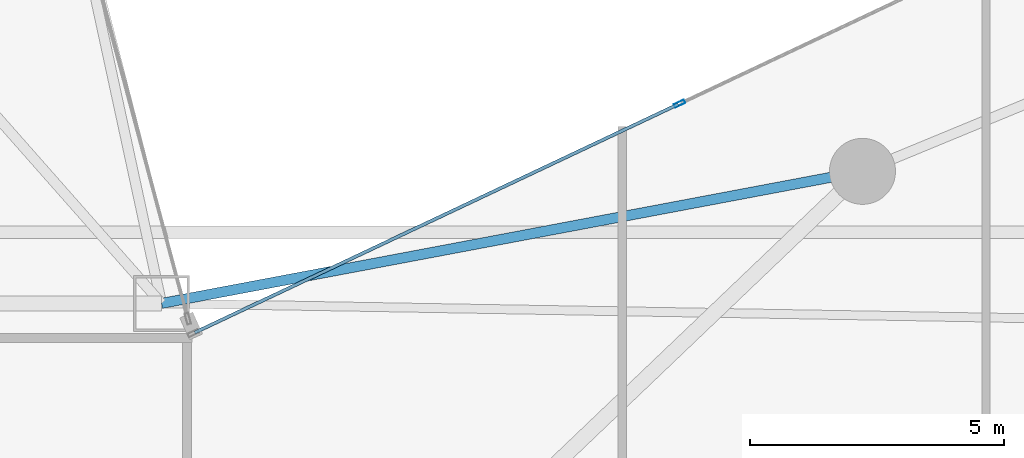
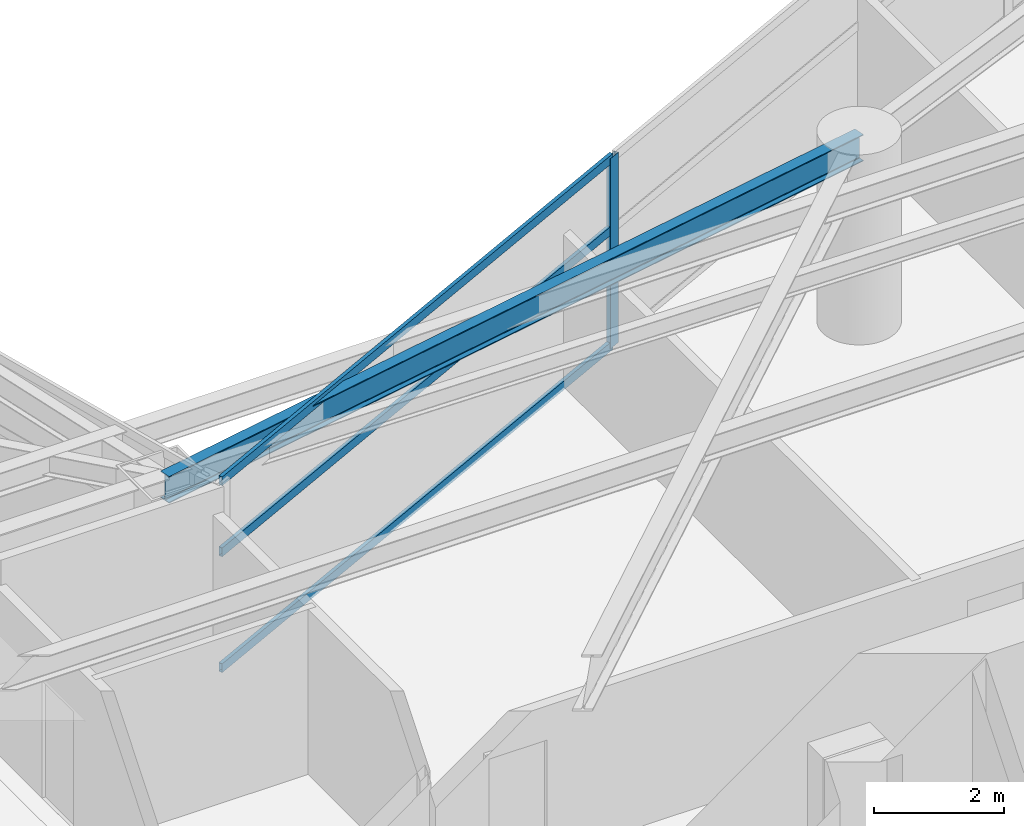
# One storey, part 11 of 29: 4 members, 1 beam, 1 element without a shape of its own.
"""IFC4 building model written with IfcOpenShell, lengths in metres."""

from ifc_helpers import new_model, si_unit, direction, frame, origin, origin_2d, place, context, subcontext, project, spatial, hollow_rectangle, i_section, extrude, material, layer, layer_set, material_profile, profile_set, type_object, element, aggregate, save


model = new_model("IFC4")

# Units and contexts
model_context = context("Model", 3, precision=1e-05, world=origin(), true_north=direction((0.0, 1.0)))
body_context = subcontext(model_context, "Body", "Model", "MODEL_VIEW")
ifc_project = project(units=[si_unit("LENGTHUNIT", "METRE"), si_unit("AREAUNIT", "SQUARE_METRE"), si_unit("VOLUMEUNIT", "CUBIC_METRE"), si_unit("PLANEANGLEUNIT", "RADIAN"), si_unit("MASSUNIT", "GRAM", prefix="KILO")], contexts=[model_context])

# Site, building, storey
site_placement = place(None, origin())
site = spatial("IfcSite", under=ifc_project, at=site_placement, CompositionType="ELEMENT")
building_placement = place(site_placement, origin())
building = spatial("IfcBuilding", under=site, at=building_placement, Name="Calvorn Quay Hotel", CompositionType="ELEMENT")
storey_placement = place(building_placement, frame((0.0, 0.0, 38.39990234375)))
storey = spatial("IfcBuildingStorey", under=building, at=storey_placement, Name="L08", CompositionType="ELEMENT", Elevation=38.39990234375)

# Beam
ifc_material_1 = material(Name="Steel Q355B", Category="steel")
ifc_material_profile_1 = material_profile(ifc_material_1, i_section(OverallWidth=0.199951171875, OverallDepth=0.5, WebThickness=0.010009765625, FlangeThickness=0.01611328125, FilletRadius=0.01611328125, at=origin_2d()), Name="HN500x200x10x16")
ifc_profile_set_1 = profile_set([ifc_material_profile_1], Name="Steel Q355B")
beam_type = type_object("IfcBeamType", Name="BM-SPANDREL-Z1", PredefinedType="SPANDREL", material=ifc_profile_set_1)
beam_placement = place(storey_placement, frame((34.800048828125, 27.60009765625, 3.2900390625), z_axis=(-0.982709432406, -0.185154452988, 0.0), x_axis=(0.185154452988, -0.982709432406, 0.0)))
element("IfcBeam", 1, at=beam_placement, inside=storey, type_object=beam_type, Name="Beam BSP-L08-E5", PredefinedType="SPANDREL", context=body_context, shape_type="SweptSolid", body=[
    extrude(i_section(OverallWidth=0.199951171875, OverallDepth=0.5, WebThickness=0.010009765625, FlangeThickness=0.01611328125, FilletRadius=0.01611328125, at=origin_2d()), origin(), (0.0, 0.0, 1.0), 14.04296875),
])

# Curtain wall, members
ifc_material_2 = material(Name="Pale Anodised Aluminium and Low-E Glass", Category="aluminium")
ifc_layer = layer(ifc_material_2, 0.219970703125)
ifc_layer_set = layer_set([ifc_layer], Name="CW-SYS-Z1")
curtain_wall_type = type_object("IfcCurtainWallType", Name="CW-SYS-Z1", PredefinedType="NOTDEFINED", material=ifc_layer_set)
curtain_wall_placement = place(storey_placement, origin())
curtain_wall = element("IfcCurtainWall", 2, at=curtain_wall_placement, inside=storey, type_object=curtain_wall_type, Name="Inner Court Curtain Wall L08-NE1", PredefinedType="NOTDEFINED")
ifc_material_3 = material(Name="Pale Anodised Aluminium 6063-T6", Category="aluminium")
ifc_material_profile_2 = material_profile(ifc_material_3, hollow_rectangle(XDim=0.074951171875, YDim=0.219970703125, WallThickness=0.00439453125, at=origin_2d()), Name="ALU-M220x75x4.5")
ifc_profile_set_2 = profile_set([ifc_material_profile_2], Name="Pale Anodised Aluminium 6063-T6")
member_type_1 = type_object("IfcMemberType", Name="CW-SYS-Z1-MUL", PredefinedType="MULLION", material=ifc_profile_set_2)
member_1_placement = place(storey_placement, frame((31.199951171875, 28.933349609375, 0.0), z_axis=(0.0, 0.0, 1.0), x_axis=(0.427006305415, -0.904248646743, 0.0)))
member_1 = element("IfcMember", 3, at=member_1_placement, type_object=member_type_1, Name="CW-L08-NE1 mullion 3", PredefinedType="MULLION", context=body_context, shape_type="SweptSolid", body=[
    extrude(hollow_rectangle(XDim=0.074951171875, YDim=0.219970703125, WallThickness=0.00439453125, at=origin_2d()), origin(), (0.0, 0.0, 1.0), 3.56005859375),
])
ifc_material_4 = material(Name="Pale Anodised Aluminium 6063-T6", Category="aluminium")
ifc_material_profile_3 = material_profile(ifc_material_4, hollow_rectangle(XDim=0.06494140625, YDim=0.1650390625, WallThickness=0.00341796875, at=origin_2d()), Name="ALU-T165x65x3.5")
ifc_profile_set_3 = profile_set([ifc_material_profile_3], Name="Pale Anodised Aluminium 6063-T6")
member_type_2 = type_object("IfcMemberType", Name="CW-SYS-Z1-TRN", PredefinedType="USERDEFINED", material=ifc_profile_set_3)
member_2_placement = place(storey_placement, frame((31.1728515625, 28.92041015625, 0.030029296875), z_axis=(-0.904248646746, -0.427006305408, 0.0), x_axis=(0.427006305408, -0.904248646746, 0.0)))
member_2 = element("IfcMember", 4, at=member_2_placement, type_object=member_type_2, Name="CW-L08-NE1 transom 3.1", ObjectType="TRANSOM", PredefinedType="USERDEFINED", context=body_context, shape_type="SweptSolid", body=[
    extrude(hollow_rectangle(XDim=0.06494140625, YDim=0.1650390625, WallThickness=0.00341796875, at=origin_2d()), origin(), (0.0, 0.0, 1.0), 10.5263671875),
])
member_3_placement = place(storey_placement, frame((31.1728515625, 28.92041015625, 2.2001953125), z_axis=(-0.904248646746, -0.427006305408, 0.0), x_axis=(0.427006305408, -0.904248646746, 0.0)))
member_3 = element("IfcMember", 5, at=member_3_placement, type_object=member_type_2, Name="CW-L08-NE1 transom 3.2", ObjectType="TRANSOM", PredefinedType="USERDEFINED", context=body_context, shape_type="SweptSolid", body=[
    extrude(hollow_rectangle(XDim=0.06494140625, YDim=0.1650390625, WallThickness=0.00341796875, at=origin_2d()), origin(), (0.0, 0.0, 1.0), 10.5263671875),
])
member_4_placement = place(storey_placement, frame((31.1728515625, 28.92041015625, 3.530029296875), z_axis=(-0.904248646746, -0.427006305408, 0.0), x_axis=(0.427006305408, -0.904248646746, 0.0)))
member_4 = element("IfcMember", 6, at=member_4_placement, type_object=member_type_2, Name="CW-L08-NE1 transom 3.3", ObjectType="TRANSOM", PredefinedType="USERDEFINED", context=body_context, shape_type="SweptSolid", body=[
    extrude(hollow_rectangle(XDim=0.06494140625, YDim=0.1650390625, WallThickness=0.00341796875, at=origin_2d()), origin(), (0.0, 0.0, 1.0), 10.5263671875),
])
aggregate(curtain_wall, [member_1, member_2, member_3, member_4])

save(model, "model.ifc")
